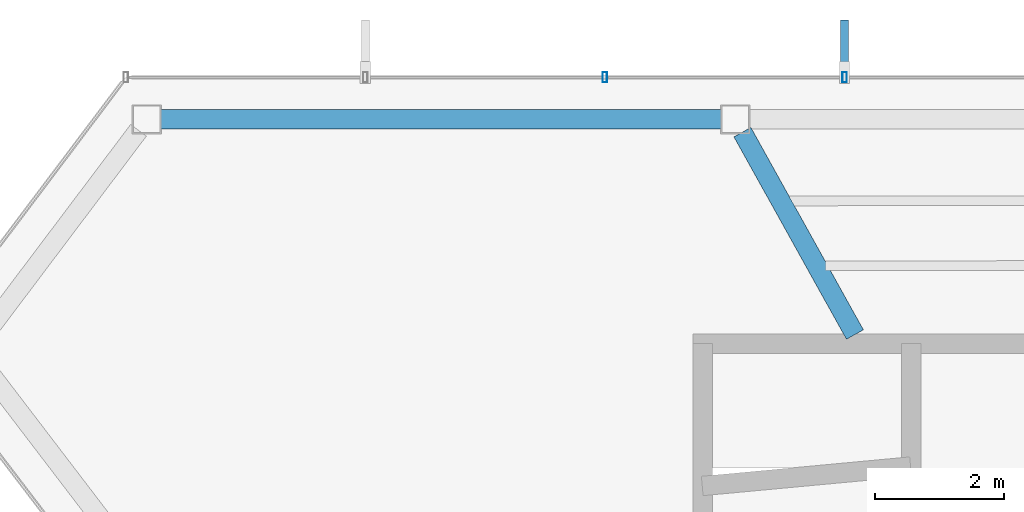
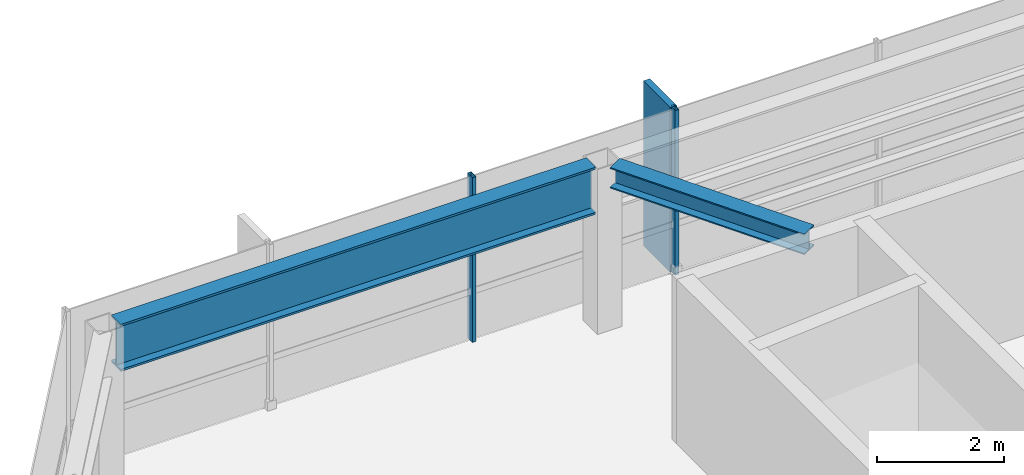
# One storey, part 11 of 22: 3 members, 2 beams, 1 element without a shape of its own.
"""IFC4 building model written with IfcOpenShell, lengths in metres."""

from ifc_helpers import new_model, si_unit, direction, frame, origin, origin_2d, place, context, subcontext, project, spatial, rectangle, hollow_rectangle, i_section, extrude, material, layer, layer_set, material_profile, profile_set, type_object, element, aggregate, save


model = new_model("IFC4")

# Units and contexts
model_context = context("Model", 3, precision=1e-05, world=origin(), true_north=direction((0.0, 1.0)))
body_context = subcontext(model_context, "Body", "Model", "MODEL_VIEW")
ifc_project = project(units=[si_unit("LENGTHUNIT", "METRE"), si_unit("AREAUNIT", "SQUARE_METRE"), si_unit("VOLUMEUNIT", "CUBIC_METRE"), si_unit("PLANEANGLEUNIT", "RADIAN"), si_unit("MASSUNIT", "GRAM", prefix="KILO")], contexts=[model_context])

# Site, building, storey
site_placement = place(None, origin())
site = spatial("IfcSite", under=ifc_project, at=site_placement, CompositionType="ELEMENT")
building_placement = place(site_placement, origin())
building = spatial("IfcBuilding", under=site, at=building_placement, Name="Zarrinselat Tower", CompositionType="ELEMENT")
storey_placement = place(building_placement, frame((0.0, 0.0, 289.0)))
storey = spatial("IfcBuildingStorey", under=building, at=storey_placement, Name="L74", CompositionType="ELEMENT", Elevation=289.0)

# Beams
ifc_material_1 = material(Name="Steel S355J2", Category="steel")
ifc_material_profile_1 = material_profile(ifc_material_1, i_section(OverallWidth=0.300048828125, OverallDepth=0.39990234375, WebThickness=0.013427734375, FlangeThickness=0.02392578125, at=origin_2d()), Name="HEB 400")
ifc_profile_set_1 = profile_set([ifc_material_profile_1], Name="Steel S355J2")
beam_type_1 = type_object("IfcBeamType", Name="BM-HEB400", PredefinedType="BEAM", material=ifc_profile_set_1)
beam_1_placement = place(storey_placement, frame((29.260498046875, 46.668212890625, 2.97998046875), z_axis=(0.485990373515, -0.873964162224, 0.0), x_axis=(0.873964162224, 0.485990373515, 0.0)))
element("IfcBeam", 1, at=beam_1_placement, inside=storey, type_object=beam_type_1, Name="L74 Radial Primary Girder RG04", PredefinedType="BEAM", context=body_context, shape_type="SweptSolid", body=[
    extrude(i_section(OverallWidth=0.300048828125, OverallDepth=0.39990234375, WebThickness=0.013427734375, FlangeThickness=0.02392578125, at=origin_2d()), origin(), (0.0, 0.0, 1.0), 3.579345703125),
])
ifc_material_2 = material(Name="Steel S460M", Category="steel")
ifc_material_profile_2 = material_profile(ifc_material_2, i_section(OverallWidth=0.302001953125, OverallDepth=0.909912109375, WebThickness=0.02099609375, FlangeThickness=0.0400390625, at=origin_2d()), Name="HEM 900")
ifc_profile_set_2 = profile_set([ifc_material_profile_2], Name="Steel S460M")
beam_type_2 = type_object("IfcBeamType", Name="BM-HEM900", PredefinedType="BEAM", material=ifc_profile_set_2)
beam_2_placement = place(storey_placement, frame((20.268310546875, 46.86669921875, 2.72509765625), z_axis=(1.0, 0.0, 0.0), x_axis=(0.0, 1.0, 0.0)))
element("IfcBeam", 2, at=beam_2_placement, inside=storey, type_object=beam_type_2, Name="L74 Perimeter Spandrel Girder SP04", PredefinedType="BEAM", context=body_context, shape_type="SweptSolid", body=[
    extrude(i_section(OverallWidth=0.302001953125, OverallDepth=0.909912109375, WebThickness=0.02099609375, FlangeThickness=0.0400390625, at=origin_2d()), origin(), (0.0, 0.0, 1.0), 8.6689453125),
])

# Curtain wall, members
ifc_material_3 = material(Name="Extruded Aluminium Alloy EN AW-6063 T6", Category="aluminium")
ifc_layer = layer(ifc_material_3, 0.169921875)
ifc_layer_set = layer_set([ifc_layer], Name="Extruded Aluminium Alloy EN AW-6063 T6")
curtain_wall_type = type_object("IfcCurtainWallType", Name="CWS-RES", PredefinedType="NOTDEFINED", material=ifc_layer_set)
curtain_wall_placement = place(storey_placement, origin())
curtain_wall = element("IfcCurtainWall", 3, at=curtain_wall_placement, inside=storey, type_object=curtain_wall_type, Name="L74 Unitised Curtain Wall CW-L74-E01", PredefinedType="NOTDEFINED")
ifc_material_4 = material(Name="Extruded Aluminium Alloy EN AW-6063 T6", Category="aluminium")
ifc_material_profile_3 = material_profile(ifc_material_4, hollow_rectangle(XDim=0.070068359375, YDim=0.159912109375, WallThickness=0.00390625, at=origin_2d()), Name="RHS 160x70x4")
ifc_profile_set_3 = profile_set([ifc_material_profile_3], Name="Extruded Aluminium Alloy EN AW-6063 T6")
member_type_1 = type_object("IfcMemberType", Name="MEM-CW-MUL2", PredefinedType="MULLION", material=ifc_profile_set_3)
member_1_placement = place(storey_placement, frame((30.8388671875, 47.5166015625, 0.0), z_axis=(0.0, 0.0, 1.0), x_axis=(-1.0, 0.0, 0.0)))
member_1 = element("IfcMember", 4, at=member_1_placement, type_object=member_type_1, Name="CW-L74-E01 Mullion 7", PredefinedType="MULLION", context=body_context, shape_type="SweptSolid", body=[
    extrude(hollow_rectangle(XDim=0.070068359375, YDim=0.159912109375, WallThickness=0.00390625, at=origin_2d()), origin(), (0.0, 0.0, 1.0), 3.179931640625),
])
member_2_placement = place(storey_placement, frame((27.13623046875, 47.5166015625, 0.0), z_axis=(0.0, 0.0, 1.0), x_axis=(-1.0, 0.0, 0.0)))
member_2 = element("IfcMember", 5, at=member_2_placement, type_object=member_type_1, Name="CW-L74-E01 Mullion 8", PredefinedType="MULLION", context=body_context, shape_type="SweptSolid", body=[
    extrude(hollow_rectangle(XDim=0.070068359375, YDim=0.159912109375, WallThickness=0.00390625, at=origin_2d()), origin(), (0.0, 0.0, 1.0), 3.179931640625),
])
ifc_material_5 = material(Name="Honed Cream Travertine Stone", Category="masonry")
ifc_material_profile_4 = material_profile(ifc_material_5, rectangle(XDim=0.1201171875, YDim=0.85009765625, at=origin_2d()), Name="FIN 850x120")
ifc_profile_set_4 = profile_set([ifc_material_profile_4], Name="Honed Cream Travertine Stone")
member_type_2 = type_object("IfcMemberType", Name="MEM-STONE-FIN", PredefinedType="USERDEFINED", material=ifc_profile_set_4)
member_3_placement = place(storey_placement, frame((30.8388671875, 47.976806640625, 0.0), z_axis=(0.0, 0.0, 1.0), x_axis=(1.0, 0.0, 0.0)))
member_3 = element("IfcMember", 6, at=member_3_placement, type_object=member_type_2, Name="L74 Stone Shading Fin CW-L74-E01-07", ObjectType="FIN", PredefinedType="USERDEFINED", context=body_context, shape_type="SweptSolid", body=[
    extrude(rectangle(XDim=0.1201171875, YDim=0.85009765625, at=origin_2d()), origin(), (0.0, 0.0, 1.0), 3.179931640625),
])
aggregate(curtain_wall, [member_1, member_3, member_2])

save(model, "model.ifc")
